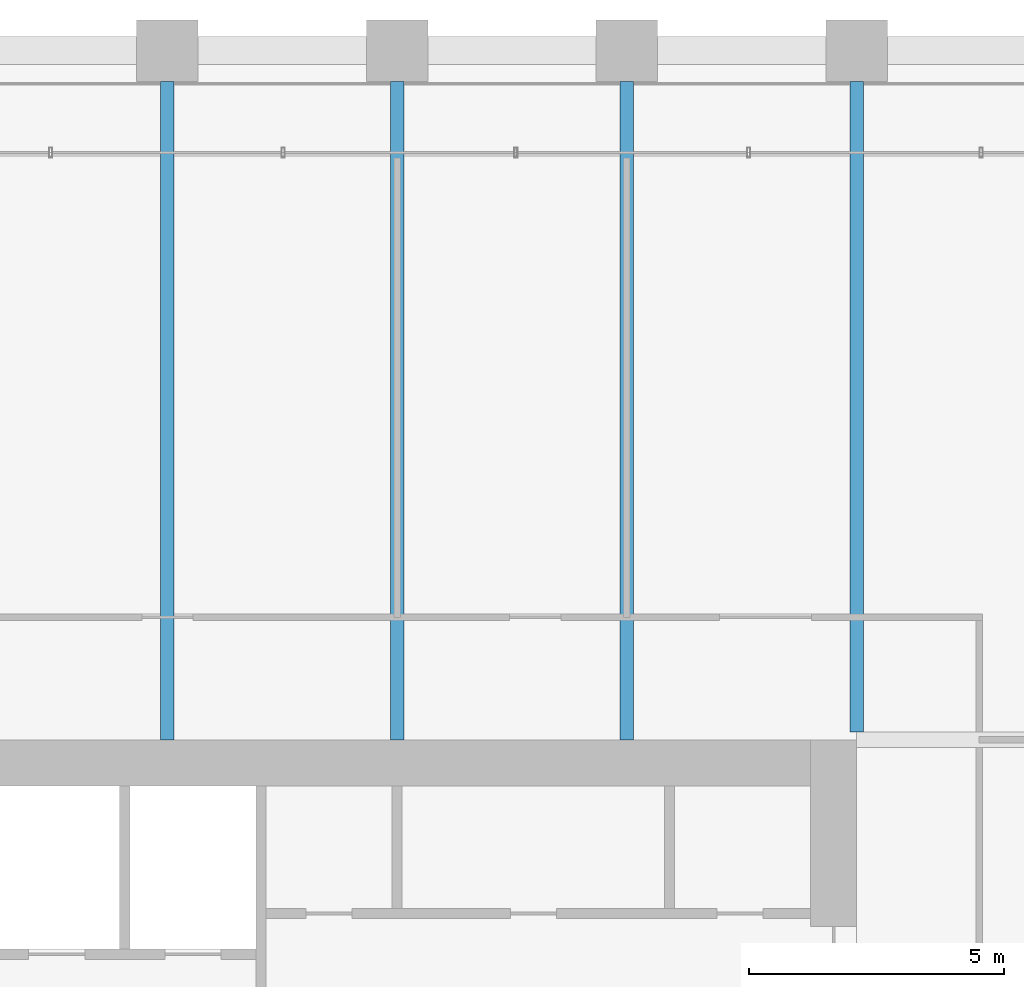
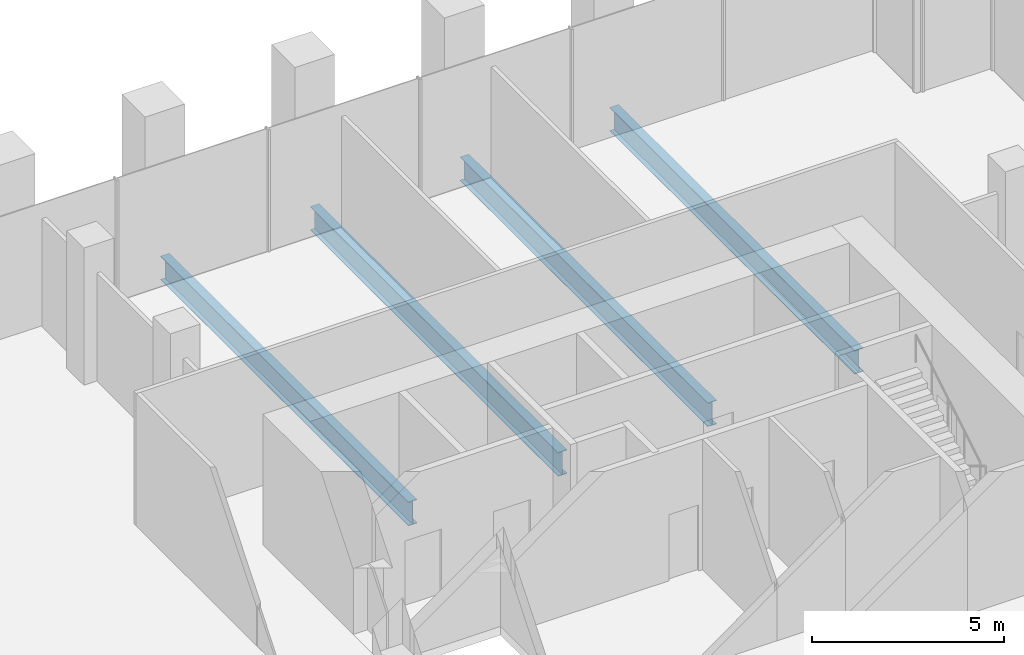
# One storey, part 15 of 36: 4 beams.
"""IFC4 building model written with IfcOpenShell, lengths in metres."""

from ifc_helpers import new_model, si_unit, direction, frame, origin, origin_2d, place, context, subcontext, project, spatial, i_section, extrude, material, material_profile, profile_set, type_object, element, save


model = new_model("IFC4")

# Units and contexts
model_context = context("Model", 3, precision=1e-05, world=origin(), true_north=direction((0.0, 1.0)))
body_context = subcontext(model_context, "Body", "Model", "MODEL_VIEW")
ifc_project = project(units=[si_unit("LENGTHUNIT", "METRE"), si_unit("AREAUNIT", "SQUARE_METRE"), si_unit("VOLUMEUNIT", "CUBIC_METRE"), si_unit("PLANEANGLEUNIT", "RADIAN"), si_unit("MASSUNIT", "GRAM", prefix="KILO")], contexts=[model_context])

# Site, building, storey
site_placement = place(None, origin())
site = spatial("IfcSite", under=ifc_project, at=site_placement, CompositionType="ELEMENT")
building_placement = place(site_placement, origin())
building = spatial("IfcBuilding", under=site, at=building_placement, Name="Altepetl Exchange Towers", CompositionType="ELEMENT")
storey_placement = place(building_placement, frame((0.0, 0.0, 43.0)))
storey = spatial("IfcBuildingStorey", under=building, at=storey_placement, Name="L09", CompositionType="ELEMENT", Elevation=43.0)

# Beams
ifc_material = material(Name="Steel S355", Category="steel")
ifc_material_profile = material_profile(ifc_material, i_section(OverallWidth=0.26611328125, OverallDepth=0.758056640625, WebThickness=0.013916015625, FlangeThickness=0.019287109375, at=origin_2d()), Name="W30X108")
ifc_profile_set = profile_set([ifc_material_profile], Name="Steel S355")
beam_type = type_object("IfcBeamType", Name="Floor beam W30X108", PredefinedType="BEAM", material=ifc_profile_set)
for number, where, z_axis, x_axis, name in (
    (1, (45.0, 58.5, -0.553955078125), (0.0, 1.0, 0.0), (-1.0, 0.0, 0.0), "bm:A:L09:000"),
    (2, (49.5, 58.5, -0.553955078125), (0.0, 1.0, 0.0), (-1.0, 0.0, 0.0), "bm:A:L09:001"),
    (3, (54.0, 58.5, -0.553955078125), (0.0, 1.0, 0.0), (-1.0, 0.0, 0.0), "bm:A:L09:002"),
):
    element("IfcBeam", number, at=place(storey_placement, frame(where, z_axis=z_axis, x_axis=x_axis)), inside=storey, type_object=beam_type, Name=name, PredefinedType="BEAM", context=body_context, shape_type="SweptSolid", body=[
        extrude(i_section(OverallWidth=0.26611328125, OverallDepth=0.758056640625, WebThickness=0.013916015625, FlangeThickness=0.019287109375, at=origin_2d()), origin(), (0.0, 0.0, 1.0), 12.89990234375),
    ])
beam_placement = place(storey_placement, frame((58.5, 58.654052734375, -0.553955078125), z_axis=(0.0, 1.0, 0.0), x_axis=(-1.0, 0.0, 0.0)))
element("IfcBeam", 4, at=beam_placement, inside=storey, type_object=beam_type, Name="bm:A:L09:003", PredefinedType="BEAM", context=body_context, shape_type="SweptSolid", body=[
    extrude(i_section(OverallWidth=0.26611328125, OverallDepth=0.758056640625, WebThickness=0.013916015625, FlangeThickness=0.019287109375, at=origin_2d()), origin(), (0.0, 0.0, 1.0), 12.745849609375),
])

save(model, "model.ifc")
